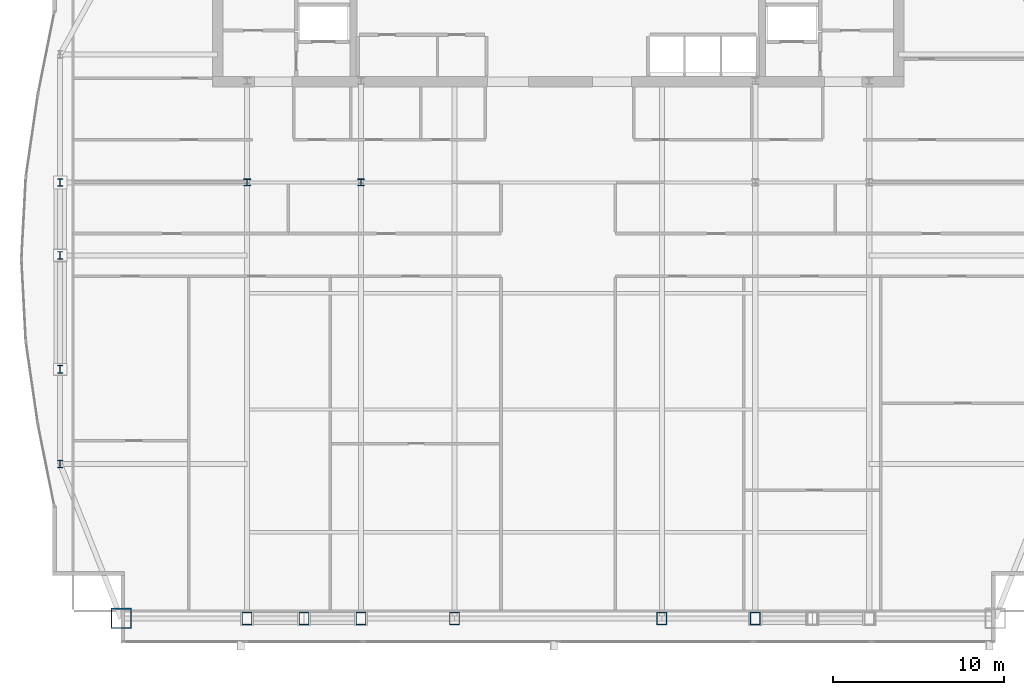
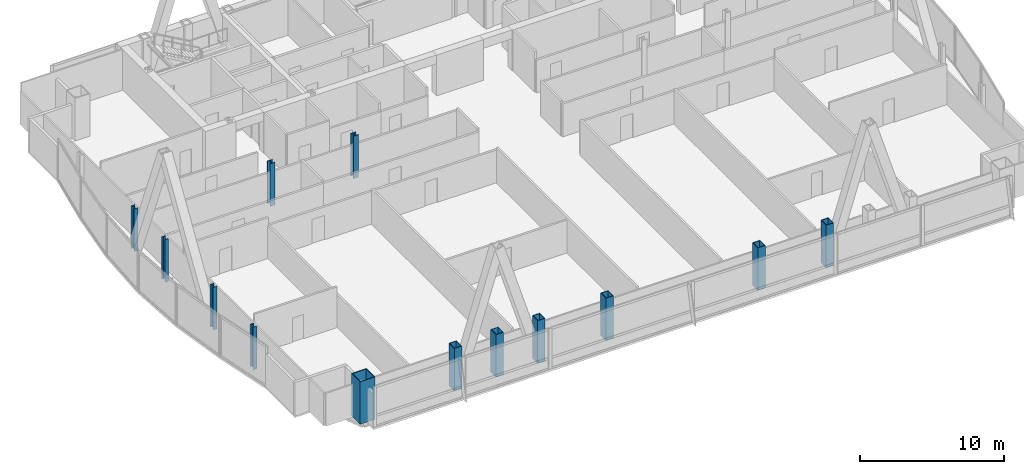
# One storey, part 1 of 32: 13 columns.
"""IFC4 building model written with IfcOpenShell, lengths in metres."""

from ifc_helpers import new_model, si_unit, direction, frame, origin, origin_2d, place, context, subcontext, project, spatial, hollow_rectangle, i_section, extrude, material, material_profile, profile_set, type_object, element, save


model = new_model("IFC4")

# Units and contexts
model_context = context("Model", 3, precision=1e-05, world=origin(), true_north=direction((0.0, 1.0)))
body_context = subcontext(model_context, "Body", "Model", "MODEL_VIEW")
ifc_project = project(units=[si_unit("LENGTHUNIT", "METRE"), si_unit("AREAUNIT", "SQUARE_METRE"), si_unit("VOLUMEUNIT", "CUBIC_METRE"), si_unit("PLANEANGLEUNIT", "RADIAN"), si_unit("MASSUNIT", "GRAM", prefix="KILO")], contexts=[model_context])

# Site, building, storey
site_placement = place(None, origin())
site = spatial("IfcSite", under=ifc_project, at=site_placement, CompositionType="ELEMENT")
building_placement = place(site_placement, origin())
building = spatial("IfcBuilding", under=site, at=building_placement, Name="Khoronbel Lancet Exchange", CompositionType="ELEMENT")
storey_placement = place(building_placement, frame((0.0, 0.0, 221.0)))
storey = spatial("IfcBuildingStorey", under=building, at=storey_placement, Name="L56", CompositionType="ELEMENT", Elevation=221.0)

# Columns
ifc_material_1 = material(Name="Steel S460", Category="steel")
ifc_material_profile_1 = material_profile(ifc_material_1, hollow_rectangle(XDim=0.60009765625, YDim=0.75, WallThickness=0.044921875, at=origin_2d()), Name="BOX 750x600x45")
ifc_profile_set_1 = profile_set([ifc_material_profile_1], Name="Steel S460")
column_type_1 = type_object("IfcColumnType", Name="COL-EC3", PredefinedType="COLUMN", material=ifc_profile_set_1)
for number, where, z_axis, x_axis, name in (
    (1, (18.22509765625, 10.14990234375, 0.0), (0.0, 0.0, 1.0), (1.0, 0.0, 0.0), "Structural column SC-W1 L56"),
    (2, (21.5625, 10.14990234375, 0.0), (0.0, 0.0, 1.0), (1.0, 0.0, 0.0), "Structural column SC-WM L56"),
    (3, (24.89990234375, 10.14990234375, 0.0), (0.0, 0.0, 1.0), (1.0, 0.0, 0.0), "Structural column SC-W2 L56"),
    (4, (30.375, 10.14990234375, 0.0), (0.0, 0.0, 1.0), (1.0, 0.0, 0.0), "Structural column SC-C1 L56"),
    (5, (42.52490234375, 10.14990234375, 0.0), (0.0, 0.0, 1.0), (1.0, 0.0, 0.0), "Structural column SC-C2 L56"),
    (6, (48.0, 10.14990234375, 0.0), (0.0, 0.0, 1.0), (1.0, 0.0, 0.0), "Structural column SC-E1 L56"),
):
    element("IfcColumn", number, at=place(storey_placement, frame(where, z_axis=z_axis, x_axis=x_axis)), inside=storey, type_object=column_type_1, Name=name, PredefinedType="COLUMN", context=body_context, shape_type="SweptSolid", body=[
        extrude(hollow_rectangle(XDim=0.60009765625, YDim=0.75, WallThickness=0.044921875, at=origin_2d()), origin(), (0.0, 0.0, 1.0), 3.60009765625),
    ])
ifc_material_2 = material(Name="Steel S355", Category="steel")
ifc_material_profile_2 = material_profile(ifc_material_2, i_section(OverallWidth=0.406005859375, OverallDepth=0.416015625, WebThickness=0.02978515625, FlangeThickness=0.048095703125, at=origin_2d()), Name="HD 400x382")
ifc_profile_set_2 = profile_set([ifc_material_profile_2], Name="Steel S355")
column_type_2 = type_object("IfcColumnType", Name="COL-IC3", PredefinedType="COLUMN", material=ifc_profile_set_2)
for number, where, z_axis, x_axis, name in (
    (7, (18.22509765625, 35.699951171875, 0.0), (0.0, 0.0, 1.0), (1.0, 0.0, 0.0), "Spine gravity column TC1 L56"),
    (8, (24.89990234375, 35.699951171875, 0.0), (0.0, 0.0, 1.0), (1.0, 0.0, 0.0), "Spine gravity column TC2 L56"),
):
    element("IfcColumn", number, at=place(storey_placement, frame(where, z_axis=z_axis, x_axis=x_axis)), inside=storey, type_object=column_type_2, Name=name, PredefinedType="COLUMN", context=body_context, shape_type="SweptSolid", body=[
        extrude(i_section(OverallWidth=0.406005859375, OverallDepth=0.416015625, WebThickness=0.02978515625, FlangeThickness=0.048095703125, at=origin_2d()), origin(), (0.0, 0.0, 1.0), 3.60009765625),
    ])
ifc_material_profile_3 = material_profile(ifc_material_2, i_section(OverallWidth=0.300048828125, OverallDepth=0.449951171875, WebThickness=0.013916015625, FlangeThickness=0.02587890625, at=origin_2d()), Name="HEB 450")
ifc_profile_set_3 = profile_set([ifc_material_profile_3], Name="Steel S355")
column_type_3 = type_object("IfcColumnType", Name="COL-LC2", PredefinedType="COLUMN", material=ifc_profile_set_3)
for number, where, z_axis, x_axis, name in (
    (9, (7.27001953125, 19.199951171875, 0.0), (0.0, 0.0, 1.0), (1.0, 0.0, 0.0), "Structural column WC-1 L56"),
    (10, (7.27001953125, 24.75, 0.0), (0.0, 0.0, 1.0), (1.0, 0.0, 0.0), "Structural column WC-2 L56"),
    (11, (7.27001953125, 31.425048828125, 0.0), (0.0, 0.0, 1.0), (1.0, 0.0, 0.0), "Structural column WC-M L56"),
    (12, (7.27001953125, 35.699951171875, 0.0), (0.0, 0.0, 1.0), (1.0, 0.0, 0.0), "Structural column WC-3 L56"),
):
    element("IfcColumn", number, at=place(storey_placement, frame(where, z_axis=z_axis, x_axis=x_axis)), inside=storey, type_object=column_type_3, Name=name, PredefinedType="COLUMN", context=body_context, shape_type="SweptSolid", body=[
        extrude(i_section(OverallWidth=0.300048828125, OverallDepth=0.449951171875, WebThickness=0.013916015625, FlangeThickness=0.02587890625, at=origin_2d()), origin(), (0.0, 0.0, 1.0), 3.60009765625),
    ])
ifc_material_profile_4 = material_profile(ifc_material_1, hollow_rectangle(XDim=1.199951171875, YDim=1.199951171875, WallThickness=0.06005859375, at=origin_2d()), Name="BOX 1200x1200x60")
ifc_profile_set_4 = profile_set([ifc_material_profile_4], Name="Steel S460")
column_type_4 = type_object("IfcColumnType", Name="COL-MC5", PredefinedType="COLUMN", material=ifc_profile_set_4)
column_placement = place(storey_placement, frame((10.85009765625, 10.14990234375, 0.0), z_axis=(0.0, 0.0, 1.0), x_axis=(1.0, 0.0, 0.0)))
element("IfcColumn", 13, at=column_placement, inside=storey, type_object=column_type_4, Name="Structural column MC-SW L56", PredefinedType="COLUMN", context=body_context, shape_type="SweptSolid", body=[
    extrude(hollow_rectangle(XDim=1.199951171875, YDim=1.199951171875, WallThickness=0.06005859375, at=origin_2d()), origin(), (0.0, 0.0, 1.0), 3.60009765625),
])

save(model, "model.ifc")
